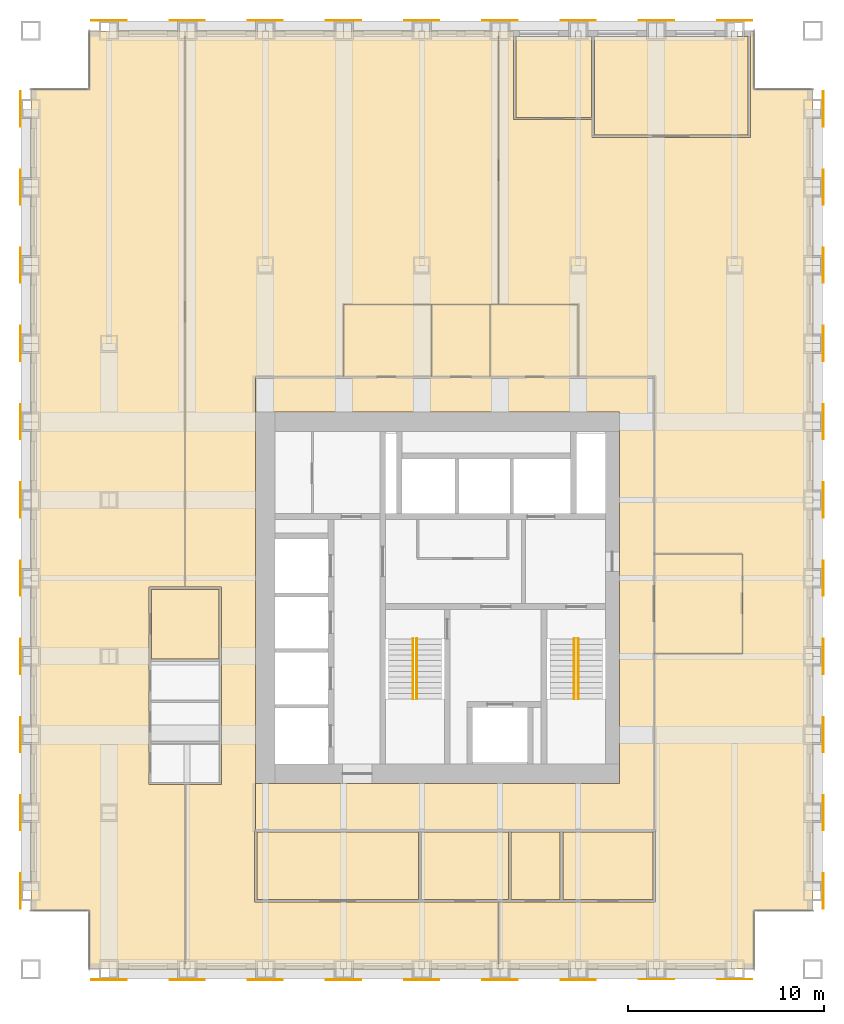
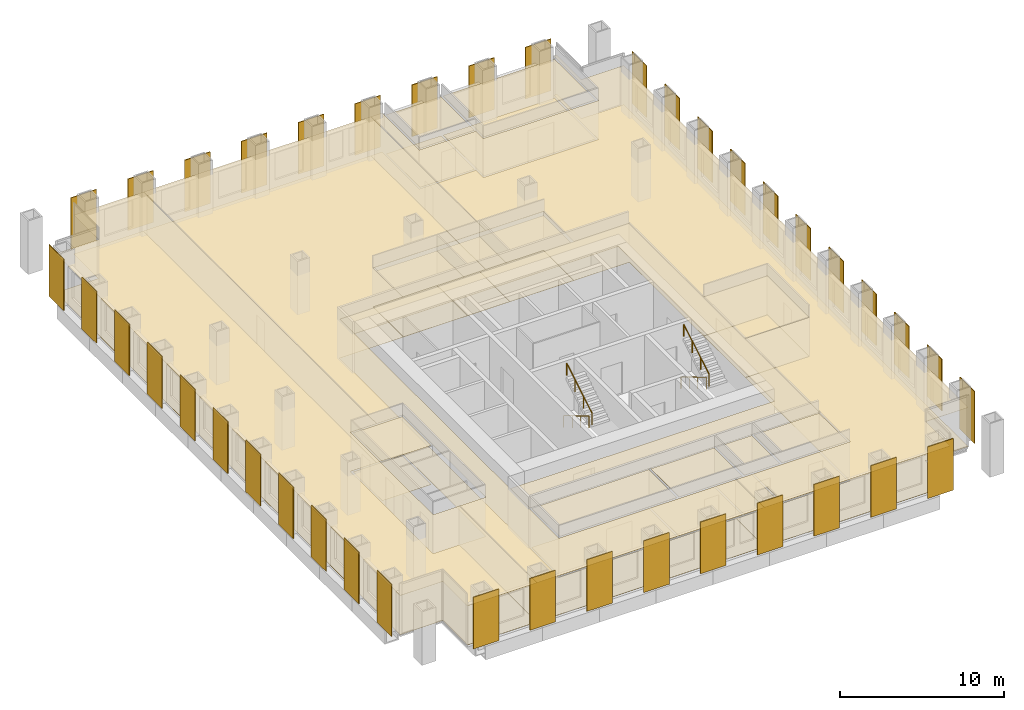
# One storey, part 13 of 13: 40 shading devices, 29 coverings, 4 railings.
"""IFC4 building model written with IfcOpenShell, lengths in metres."""

import ifcopenshell
import ifcopenshell.guid

model = None  # the IFC model being written
_history = None  # IfcOwnerHistory: only IFC2X3 demands one
_inside = {}  # id of a spatial element -> (the spatial element, [elements in it])
_under = {}  # id of a project, library or spatial element -> (it, [spatial elements below it])
_declared = {}  # id of a project -> (the project, [libraries it declares])
_typed = {}  # id of a type object -> (the type object, [elements of that type])
_made_of = {}  # id of a material, layer set ... -> (it, [elements and type objects made of it])


def new_model(schema):
    """Start an empty IFC model of exactly this schema.

    Asked for "IFC4X3", IfcOpenShell would pick the latest addendum, in which some entities
    have other attributes; the version numbers below select the first issue.
    IFC2X3 requires an IfcOwnerHistory on every rooted entity: one is made here for all.
    """
    global model, _history
    if schema == "IFC4X3":
        model = ifcopenshell.file(schema_version=(4, 3, 0, 0))
    else:
        model = ifcopenshell.file(schema=schema)
    _inside.clear()
    _under.clear()
    _declared.clear()
    _typed.clear()
    _made_of.clear()
    _history = None
    if model.schema == "IFC2X3":
        org = make("IfcOrganization", Name="unknown")
        user = make(
            "IfcPersonAndOrganization",
            ThePerson=make("IfcPerson", FamilyName="unknown"),
            TheOrganization=org,
        )
        app = make(
            "IfcApplication",
            ApplicationDeveloper=org,
            Version="unknown",
            ApplicationFullName="unknown",
            ApplicationIdentifier="unknown",
        )
        _history = make(
            "IfcOwnerHistory",
            OwningUser=user,
            OwningApplication=app,
            ChangeAction="ADDED",
            CreationDate=0,
        )
    return model


def make(cls, **values):
    """One entity of the class cls with the attributes given. An attribute that is None is left unset."""
    return model.create_entity(
        cls, **{name: value for name, value in values.items() if value is not None}
    )


def rooted(cls, **values):
    """An entity with a GlobalId (a new one), such as an element, a storey or a relation."""
    return make(cls, GlobalId=ifcopenshell.guid.new(), OwnerHistory=_history, **values)


def si_unit(unit_type, name, prefix=None):
    """IfcSIUnit, for example si_unit("LENGTHUNIT", "METRE", prefix="MILLI")."""
    return make("IfcSIUnit", UnitType=unit_type, Prefix=prefix, Name=name)


def assignment(units):
    """IfcUnitAssignment: the units of a project."""
    return None if units is None else make("IfcUnitAssignment", Units=units)


def point(xyz):
    """IfcCartesianPoint."""
    return None if xyz is None else make("IfcCartesianPoint", Coordinates=xyz)


def direction(xyz):
    """IfcDirection."""
    return None if xyz is None else make("IfcDirection", DirectionRatios=xyz)


def frame(location, z_axis=None, x_axis=None):
    """IfcAxis2Placement3D, a coordinate frame: its origin and axes. An axis left out is left unset."""
    return make(
        "IfcAxis2Placement3D",
        Location=point(location),
        Axis=direction(z_axis),
        RefDirection=direction(x_axis),
    )


def frame_2d(location, x_axis=None):
    """IfcAxis2Placement2D, a coordinate frame in the plane: its origin and x axis."""
    return make(
        "IfcAxis2Placement2D", Location=point(location), RefDirection=direction(x_axis)
    )


def origin():
    """The frame at (0, 0, 0) with its axes left unset."""
    return frame((0.0, 0.0, 0.0))


def origin_2d():
    """The frame at (0, 0) in the plane with its x axis left unset."""
    return frame_2d((0.0, 0.0))


def place(relative_to, where):
    """IfcLocalPlacement: puts the frame where relative to a parent placement (None: the world)."""
    return make(
        "IfcLocalPlacement", PlacementRelTo=relative_to, RelativePlacement=where
    )


def context(
    kind, dimensions, precision=None, world=None, true_north=None, identifier=None
):
    """IfcGeometricRepresentationContext, for example the 3D "Model" context."""
    return make(
        "IfcGeometricRepresentationContext",
        ContextIdentifier=identifier,
        ContextType=kind,
        CoordinateSpaceDimension=dimensions,
        Precision=precision,
        WorldCoordinateSystem=world,
        TrueNorth=true_north,
    )


def subcontext(parent, identifier, kind, view, scale=None):
    """IfcGeometricRepresentationSubContext, for example "Body" below "Model"."""
    return make(
        "IfcGeometricRepresentationSubContext",
        ContextIdentifier=identifier,
        ContextType=kind,
        ParentContext=parent,
        TargetScale=scale,
        TargetView=view,
    )


def project(units=None, contexts=None):
    """IfcProject with its units and contexts."""
    return rooted(
        "IfcProject",
        Name="project",
        RepresentationContexts=contexts,
        UnitsInContext=assignment(units),
    )


def spatial(cls, under=None, at=None, **own):
    """A site, building, storey or space (cls), placed at a placement, below another one or the project."""
    s = rooted(cls, ObjectPlacement=at, **own)
    if under is not None:
        _under.setdefault(under.id(), (under, []))[1].append(s)
    return s


def polyline(points):
    """IfcPolyline through the points."""
    return make("IfcPolyline", Points=[point(p) for p in points])


def profile(cls, at=None, kind="AREA", **sizes):
    """A parametric profile (cls). Its sizes go by their IFC names, for example OverallWidth=200.0."""
    return make(cls, ProfileType=kind, Position=at, **sizes)


def rectangle(**sizes):
    """IfcRectangleProfileDef."""
    return profile("IfcRectangleProfileDef", **sizes)


def circle(**sizes):
    """IfcCircleProfileDef."""
    return profile("IfcCircleProfileDef", **sizes)


def outline(outer, holes=None, kind="AREA"):
    """IfcArbitraryClosedProfileDef: a profile drawn as a closed curve; with holes, ...WithVoids."""
    if holes is None:
        return make("IfcArbitraryClosedProfileDef", ProfileType=kind, OuterCurve=outer)
    return make(
        "IfcArbitraryProfileDefWithVoids",
        ProfileType=kind,
        OuterCurve=outer,
        InnerCurves=holes,
    )


def extrude(swept, where, along, depth):
    """IfcExtrudedAreaSolid: the profile swept, set in the frame where, extruded along a direction by depth."""
    return make(
        "IfcExtrudedAreaSolid",
        SweptArea=swept,
        Position=where,
        ExtrudedDirection=direction(along),
        Depth=depth,
    )


def shape(context_of_items, identifier, shape_type, items):
    """IfcShapeRepresentation: the items that make up one representation, for example the "Body"."""
    return make(
        "IfcShapeRepresentation",
        ContextOfItems=context_of_items,
        RepresentationIdentifier=identifier,
        RepresentationType=shape_type,
        Items=items,
    )


def material(Name=None, Category=None):
    """IfcMaterial."""
    return make("IfcMaterial", Name=Name, Category=Category)


def layer(
    of_material, thickness, ventilated=None, Name=None, Category=None, Priority=None
):
    """IfcMaterialLayer: one layer of a wall or slab, of a material (None: an air gap)."""
    return make(
        "IfcMaterialLayer",
        Material=of_material,
        LayerThickness=thickness,
        IsVentilated=ventilated,
        Name=Name,
        Category=Category,
        Priority=Priority,
    )


def layer_set(layers, Name=None):
    """IfcMaterialLayerSet."""
    return make("IfcMaterialLayerSet", MaterialLayers=layers, LayerSetName=Name)


def made_of(thing, what):
    """Note that an element or type object is made of a material, layer set ...; save() writes the relation."""
    if what is not None:
        _made_of.setdefault(what.id(), (what, []))[1].append(thing)
    return thing


def type_object(cls, material=None, **own):
    """A type object (cls), such as IfcWallType, which elements share."""
    return made_of(rooted(cls, **own), material)


def element(
    cls,
    number,
    at=None,
    inside=None,
    cuts=None,
    type_object=None,
    material=None,
    context=None,
    identifier="Body",
    shape_type=None,
    held_by="IfcProductDefinitionShape",
    body=None,
    shapes=None,
    **own,
):
    """One element of the class cls, such as IfcWall. Its Tag is "e" and its number.

    at: its placement. inside: the storey or other place that contains it. cuts: it is an
    opening in that element (IfcRelVoidsElement). A single representation is given by context,
    identifier, shape_type and body (its items); several are given by shapes. held_by: the class
    of the entity that holds the representations. save() writes the other relations.
    """
    e = rooted(cls, Tag="e%d" % number, ObjectPlacement=at, **own)
    if body is not None:
        shapes = [shape(context, identifier, shape_type, body)]
    if shapes is not None:
        e.Representation = make(held_by, Representations=shapes)
    if inside is not None:
        _inside.setdefault(inside.id(), (inside, []))[1].append(e)
    if cuts is not None:
        rooted(
            "IfcRelVoidsElement", RelatingBuildingElement=cuts, RelatedOpeningElement=e
        )
    if type_object is not None:
        _typed.setdefault(type_object.id(), (type_object, []))[1].append(e)
    return made_of(e, material)


def aggregate(whole, parts):
    """IfcRelAggregates: a whole, such as a stair, and the parts it consists of."""
    return rooted("IfcRelAggregates", RelatingObject=whole, RelatedObjects=parts)


def save(model, path):
    """Write the relations noted so far, then the file.

    IfcRelAggregates (storeys below a building ...), IfcRelContainedInSpatialStructure (elements
    in a storey), IfcRelDefinesByType, IfcRelAssociatesMaterial and IfcRelDeclares: one each for
    every whole, place, type object, material and project.
    """
    for whole, parts in _under.values():
        aggregate(whole, parts)
    for where, things in _inside.values():
        rooted(
            "IfcRelContainedInSpatialStructure",
            RelatedElements=things,
            RelatingStructure=where,
        )
    for kind, things in _typed.values():
        rooted("IfcRelDefinesByType", RelatedObjects=things, RelatingType=kind)
    for what, things in _made_of.values():
        rooted("IfcRelAssociatesMaterial", RelatedObjects=things, RelatingMaterial=what)
    for by, libraries in _declared.values():
        rooted("IfcRelDeclares", RelatingContext=by, RelatedDefinitions=libraries)
    model.write(path)


model = new_model("IFC4")

# Units and contexts
model_context = context("Model", 3, precision=1e-05, world=origin(), true_north=direction((0.0, 1.0)))
body_context = subcontext(model_context, "Body", "Model", "MODEL_VIEW")
ifc_project = project(units=[si_unit("LENGTHUNIT", "METRE"), si_unit("AREAUNIT", "SQUARE_METRE"), si_unit("VOLUMEUNIT", "CUBIC_METRE"), si_unit("PLANEANGLEUNIT", "RADIAN"), si_unit("MASSUNIT", "GRAM", prefix="KILO")], contexts=[model_context])

# Site, building, storey
site_placement = place(None, origin())
site = spatial("IfcSite", under=ifc_project, at=site_placement, CompositionType="ELEMENT")
building_placement = place(site_placement, origin())
building = spatial("IfcBuilding", under=site, at=building_placement, Name="Rimbunsela Tower", CompositionType="ELEMENT")
storey_placement = place(building_placement, frame((0.0, 0.0, 195.800048828125)))
storey = spatial("IfcBuildingStorey", under=building, at=storey_placement, Name="L47", CompositionType="ELEMENT", Elevation=195.800048828125)

# Coverings
ifc_material_1 = material(Name="Nylon carpet tile", Category="textile")
ifc_layer_1 = layer(ifc_material_1, 0.010009765625)
ifc_layer_set_1 = layer_set([ifc_layer_1], Name="Carpet tile 10")
covering_type_1 = type_object("IfcCoveringType", Name="Carpet tile 10", PredefinedType="FLOORING", material=ifc_layer_set_1)
covering_1_placement = place(storey_placement, origin())
element("IfcCovering", 1, at=covering_1_placement, inside=storey, type_object=covering_type_1, Name="Floor finish Open office", PredefinedType="FLOORING", context=body_context, shape_type="SweptSolid", body=[
    extrude(outline(polyline([(29.925048828125, 56.0), (30.699951171875, 56.0), (30.699951171875, 51.449951171875), (34.699951171875, 51.449951171875), (34.699951171875, 50.550048828125), (37.89990234375, 50.550048828125), (42.800048828125, 50.550048828125), (42.800048828125, 56.0), (43.0, 56.0), (43.0, 53.0), (46.0, 53.0), (46.0, 11.0), (43.0, 11.0), (43.0, 8.0), (37.89990234375, 8.0), (29.925048828125, 8.0), (29.925048828125, 11.449951171875), (30.449951171875, 11.449951171875), (30.550048828125, 11.449951171875), (33.10009765625, 11.449951171875), (33.199951171875, 11.449951171875), (37.89990234375, 11.449951171875), (37.949951171875, 11.449951171875), (37.949951171875, 15.14990234375), (37.89990234375, 15.14990234375), (37.89990234375, 24.14990234375), (42.39990234375, 24.14990234375), (42.39990234375, 29.25), (37.89990234375, 29.25), (37.89990234375, 38.300048828125), (34.0, 38.300048828125), (34.0, 42.0), (29.925048828125, 42.0), (29.925048828125, 56.0)])), origin(), (0.0, 0.0, 1.0), 0.010009765625),
])
covering_2_placement = place(storey_placement, origin())
element("IfcCovering", 2, at=covering_2_placement, inside=storey, type_object=covering_type_1, Name="Floor finish Open office", PredefinedType="FLOORING", context=body_context, shape_type="SweptSolid", body=[
    extrude(outline(polyline([(13.89990234375, 8.0), (9.0, 8.0), (9.0, 11.0), (6.0, 11.0), (6.0, 53.0), (9.0, 53.0), (9.0, 56.0), (13.89990234375, 56.0), (13.89990234375, 27.550048828125), (12.050048828125, 27.550048828125), (12.050048828125, 23.85009765625), (12.050048828125, 23.75), (12.050048828125, 21.75), (12.050048828125, 21.64990234375), (12.050048828125, 19.64990234375), (12.050048828125, 19.550048828125), (12.050048828125, 17.449951171875), (13.89990234375, 17.449951171875), (13.89990234375, 8.0)])), origin(), (0.0, 0.0, 1.0), 0.010009765625),
])
covering_3_placement = place(storey_placement, origin())
element("IfcCovering", 3, at=covering_3_placement, inside=storey, type_object=covering_type_1, Name="Floor finish Open office", PredefinedType="FLOORING", context=body_context, shape_type="SweptSolid", body=[
    extrude(outline(polyline([(17.5, 8.0), (13.89990234375, 8.0), (13.89990234375, 17.449951171875), (15.75, 17.449951171875), (15.75, 19.550048828125), (15.75, 19.64990234375), (15.75, 21.64990234375), (15.75, 21.75), (15.75, 23.75), (15.75, 23.85009765625), (15.75, 27.550048828125), (13.89990234375, 27.550048828125), (13.89990234375, 56.0), (17.5, 56.0), (29.925048828125, 56.0), (29.925048828125, 42.0), (22.0, 42.0), (22.0, 38.300048828125), (17.5, 38.300048828125), (17.5, 36.5), (17.5, 17.5), (17.5, 15.14990234375), (17.449951171875, 15.14990234375), (17.449951171875, 11.449951171875), (17.5, 11.449951171875), (25.85009765625, 11.449951171875), (25.949951171875, 11.449951171875), (29.925048828125, 11.449951171875), (29.925048828125, 8.0), (17.5, 8.0)])), origin(), (0.0, 0.0, 1.0), 0.010009765625),
])
covering_4_placement = place(storey_placement, origin())
element("IfcCovering", 4, at=covering_4_placement, inside=storey, type_object=covering_type_1, Name="Floor finish Reception", PredefinedType="FLOORING", context=body_context, shape_type="SweptSolid", body=[
    extrude(outline(polyline([(42.39990234375, 24.14990234375), (42.39990234375, 29.25), (37.89990234375, 29.25), (37.89990234375, 24.14990234375), (42.39990234375, 24.14990234375)])), origin(), (0.0, 0.0, 1.0), 0.010009765625),
])
covering_5_placement = place(storey_placement, origin())
element("IfcCovering", 5, at=covering_5_placement, inside=storey, type_object=covering_type_1, Name="Floor finish Executive office", PredefinedType="FLOORING", context=body_context, shape_type="SweptSolid", body=[
    extrude(outline(polyline([(34.675048828125, 51.574951171875), (34.675048828125, 55.699951171875), (30.824951171875, 55.699951171875), (30.824951171875, 51.574951171875), (34.675048828125, 51.574951171875)])), origin(), (0.0, 0.0, 1.0), 0.010009765625),
])
covering_6_placement = place(storey_placement, origin())
element("IfcCovering", 6, at=covering_6_placement, inside=storey, type_object=covering_type_1, Name="Floor finish Boardroom", PredefinedType="FLOORING", context=body_context, shape_type="SweptSolid", body=[
    extrude(outline(polyline([(42.675048828125, 50.675048828125), (42.675048828125, 55.699951171875), (34.824951171875, 55.699951171875), (34.824951171875, 50.675048828125), (42.675048828125, 50.675048828125)])), origin(), (0.0, 0.0, 1.0), 0.010009765625),
])
covering_7_placement = place(storey_placement, origin())
element("IfcCovering", 7, at=covering_7_placement, inside=storey, type_object=covering_type_1, Name="Floor finish Training room", PredefinedType="FLOORING", context=body_context, shape_type="SweptSolid", body=[
    extrude(outline(polyline([(25.824951171875, 11.574951171875), (25.824951171875, 15.02490234375), (17.574951171875, 15.02490234375), (17.574951171875, 11.574951171875), (25.824951171875, 11.574951171875)])), origin(), (0.0, 0.0, 1.0), 0.010009765625),
])
covering_8_placement = place(storey_placement, origin())
element("IfcCovering", 8, at=covering_8_placement, inside=storey, type_object=covering_type_1, Name="Floor finish Pantry", PredefinedType="FLOORING", context=body_context, shape_type="SweptSolid", body=[
    extrude(outline(polyline([(30.425048828125, 11.574951171875), (30.425048828125, 15.02490234375), (25.97509765625, 15.02490234375), (25.97509765625, 11.574951171875), (30.425048828125, 11.574951171875)])), origin(), (0.0, 0.0, 1.0), 0.010009765625),
])
covering_9_placement = place(storey_placement, origin())
element("IfcCovering", 9, at=covering_9_placement, inside=storey, type_object=covering_type_1, Name="Floor finish Print and copy room", PredefinedType="FLOORING", context=body_context, shape_type="SweptSolid", body=[
    extrude(outline(polyline([(33.074951171875, 11.574951171875), (33.074951171875, 15.02490234375), (30.574951171875, 15.02490234375), (30.574951171875, 11.574951171875), (33.074951171875, 11.574951171875)])), origin(), (0.0, 0.0, 1.0), 0.010009765625),
])
covering_10_placement = place(storey_placement, origin())
element("IfcCovering", 10, at=covering_10_placement, inside=storey, type_object=covering_type_1, Name="Floor finish Office", PredefinedType="FLOORING", context=body_context, shape_type="SweptSolid", body=[
    extrude(outline(polyline([(37.824951171875, 11.574951171875), (37.824951171875, 15.02490234375), (33.22509765625, 15.02490234375), (33.22509765625, 11.574951171875), (37.824951171875, 11.574951171875)])), origin(), (0.0, 0.0, 1.0), 0.010009765625),
])
covering_11_placement = place(storey_placement, origin())
element("IfcCovering", 11, at=covering_11_placement, inside=storey, type_object=covering_type_1, Name="Floor finish Meeting room", PredefinedType="FLOORING", context=body_context, shape_type="SweptSolid", body=[
    extrude(outline(polyline([(15.625, 23.875), (15.625, 27.425048828125), (12.175048828125, 27.425048828125), (12.175048828125, 23.875), (15.625, 23.875)])), origin(), (0.0, 0.0, 1.0), 0.010009765625),
])
ifc_material_2 = material(Name="Mineral fibre ceiling tile", Category="gypsum")
ifc_layer_2 = layer(ifc_material_2, 0.02001953125)
ifc_layer_set_2 = layer_set([ifc_layer_2], Name="Ceiling 600 grid")
covering_type_2 = type_object("IfcCoveringType", Name="Ceiling 600 grid", PredefinedType="CEILING", material=ifc_layer_set_2)
covering_12_placement = place(storey_placement, frame((0.0, 0.0, 2.89990234375)))
element("IfcCovering", 12, at=covering_12_placement, inside=storey, type_object=covering_type_2, Name="Ceiling U-shaped corridor", PredefinedType="CEILING", context=body_context, shape_type="SweptSolid", body=[
    extrude(outline(polyline([(37.89990234375, 38.300048828125), (37.89990234375, 15.10009765625), (17.5, 15.10009765625), (17.5, 17.5), (36.10009765625, 17.5), (36.10009765625, 36.5), (17.5, 36.5), (17.5, 38.300048828125), (37.89990234375, 38.300048828125)])), origin(), (0.0, 0.0, 1.0), 0.02001953125),
])
covering_13_placement = place(storey_placement, frame((0.0, 0.0, 2.89990234375)))
element("IfcCovering", 13, at=covering_13_placement, inside=storey, type_object=covering_type_2, Name="Ceiling Open office", PredefinedType="CEILING", context=body_context, shape_type="SweptSolid", body=[
    extrude(outline(polyline([(29.925048828125, 56.0), (30.699951171875, 56.0), (30.699951171875, 51.449951171875), (34.699951171875, 51.449951171875), (34.699951171875, 50.550048828125), (37.89990234375, 50.550048828125), (42.800048828125, 50.550048828125), (42.800048828125, 56.0), (43.0, 56.0), (43.0, 53.0), (46.0, 53.0), (46.0, 11.0), (43.0, 11.0), (43.0, 8.0), (37.89990234375, 8.0), (29.925048828125, 8.0), (29.925048828125, 11.449951171875), (30.449951171875, 11.449951171875), (30.550048828125, 11.449951171875), (33.10009765625, 11.449951171875), (33.199951171875, 11.449951171875), (37.89990234375, 11.449951171875), (37.949951171875, 11.449951171875), (37.949951171875, 15.14990234375), (37.89990234375, 15.14990234375), (37.89990234375, 24.14990234375), (42.39990234375, 24.14990234375), (42.39990234375, 29.25), (37.89990234375, 29.25), (37.89990234375, 38.300048828125), (34.0, 38.300048828125), (34.0, 42.0), (29.925048828125, 42.0), (29.925048828125, 56.0)])), origin(), (0.0, 0.0, 1.0), 0.02001953125),
])
covering_14_placement = place(storey_placement, frame((0.0, 0.0, 2.89990234375)))
element("IfcCovering", 14, at=covering_14_placement, inside=storey, type_object=covering_type_2, Name="Ceiling Open office", PredefinedType="CEILING", context=body_context, shape_type="SweptSolid", body=[
    extrude(outline(polyline([(13.89990234375, 8.0), (9.0, 8.0), (9.0, 11.0), (6.0, 11.0), (6.0, 53.0), (9.0, 53.0), (9.0, 56.0), (13.89990234375, 56.0), (13.89990234375, 27.550048828125), (12.050048828125, 27.550048828125), (12.050048828125, 23.85009765625), (12.050048828125, 23.75), (12.050048828125, 21.75), (12.050048828125, 21.64990234375), (12.050048828125, 19.64990234375), (12.050048828125, 19.550048828125), (12.050048828125, 17.449951171875), (13.89990234375, 17.449951171875), (13.89990234375, 8.0)])), origin(), (0.0, 0.0, 1.0), 0.02001953125),
])
covering_15_placement = place(storey_placement, frame((0.0, 0.0, 2.89990234375)))
element("IfcCovering", 15, at=covering_15_placement, inside=storey, type_object=covering_type_2, Name="Ceiling Open office", PredefinedType="CEILING", context=body_context, shape_type="SweptSolid", body=[
    extrude(outline(polyline([(17.5, 8.0), (13.89990234375, 8.0), (13.89990234375, 17.449951171875), (15.75, 17.449951171875), (15.75, 19.550048828125), (15.75, 19.64990234375), (15.75, 21.64990234375), (15.75, 21.75), (15.75, 23.75), (15.75, 23.85009765625), (15.75, 27.550048828125), (13.89990234375, 27.550048828125), (13.89990234375, 56.0), (17.5, 56.0), (29.925048828125, 56.0), (29.925048828125, 42.0), (22.0, 42.0), (22.0, 38.300048828125), (17.5, 38.300048828125), (17.5, 36.5), (17.5, 17.5), (17.5, 15.14990234375), (17.449951171875, 15.14990234375), (17.449951171875, 11.449951171875), (17.5, 11.449951171875), (25.85009765625, 11.449951171875), (25.949951171875, 11.449951171875), (29.925048828125, 11.449951171875), (29.925048828125, 8.0), (17.5, 8.0)])), origin(), (0.0, 0.0, 1.0), 0.02001953125),
])
covering_16_placement = place(storey_placement, frame((0.0, 0.0, 2.89990234375)))
element("IfcCovering", 16, at=covering_16_placement, inside=storey, type_object=covering_type_2, Name="Ceiling Reception", PredefinedType="CEILING", context=body_context, shape_type="SweptSolid", body=[
    extrude(outline(polyline([(42.39990234375, 24.14990234375), (42.39990234375, 29.25), (37.89990234375, 29.25), (37.89990234375, 24.14990234375), (42.39990234375, 24.14990234375)])), origin(), (0.0, 0.0, 1.0), 0.02001953125),
])
covering_17_placement = place(storey_placement, frame((0.0, 0.0, 2.89990234375)))
element("IfcCovering", 17, at=covering_17_placement, inside=storey, type_object=covering_type_2, Name="Ceiling Executive office", PredefinedType="CEILING", context=body_context, shape_type="SweptSolid", body=[
    extrude(outline(polyline([(34.675048828125, 51.574951171875), (34.675048828125, 55.699951171875), (30.824951171875, 55.699951171875), (30.824951171875, 51.574951171875), (34.675048828125, 51.574951171875)])), origin(), (0.0, 0.0, 1.0), 0.02001953125),
])
covering_18_placement = place(storey_placement, frame((0.0, 0.0, 2.89990234375)))
element("IfcCovering", 18, at=covering_18_placement, inside=storey, type_object=covering_type_2, Name="Ceiling Boardroom", PredefinedType="CEILING", context=body_context, shape_type="SweptSolid", body=[
    extrude(outline(polyline([(42.675048828125, 50.675048828125), (42.675048828125, 55.699951171875), (34.824951171875, 55.699951171875), (34.824951171875, 50.675048828125), (42.675048828125, 50.675048828125)])), origin(), (0.0, 0.0, 1.0), 0.02001953125),
])
covering_19_placement = place(storey_placement, frame((0.0, 0.0, 2.89990234375)))
element("IfcCovering", 19, at=covering_19_placement, inside=storey, type_object=covering_type_2, Name="Ceiling Training room", PredefinedType="CEILING", context=body_context, shape_type="SweptSolid", body=[
    extrude(outline(polyline([(25.824951171875, 11.574951171875), (25.824951171875, 15.02490234375), (17.574951171875, 15.02490234375), (17.574951171875, 11.574951171875), (25.824951171875, 11.574951171875)])), origin(), (0.0, 0.0, 1.0), 0.02001953125),
])
covering_20_placement = place(storey_placement, frame((0.0, 0.0, 2.89990234375)))
element("IfcCovering", 20, at=covering_20_placement, inside=storey, type_object=covering_type_2, Name="Ceiling Pantry", PredefinedType="CEILING", context=body_context, shape_type="SweptSolid", body=[
    extrude(outline(polyline([(30.425048828125, 11.574951171875), (30.425048828125, 15.02490234375), (25.97509765625, 15.02490234375), (25.97509765625, 11.574951171875), (30.425048828125, 11.574951171875)])), origin(), (0.0, 0.0, 1.0), 0.02001953125),
])
covering_21_placement = place(storey_placement, frame((0.0, 0.0, 2.89990234375)))
element("IfcCovering", 21, at=covering_21_placement, inside=storey, type_object=covering_type_2, Name="Ceiling Print and copy room", PredefinedType="CEILING", context=body_context, shape_type="SweptSolid", body=[
    extrude(outline(polyline([(33.074951171875, 11.574951171875), (33.074951171875, 15.02490234375), (30.574951171875, 15.02490234375), (30.574951171875, 11.574951171875), (33.074951171875, 11.574951171875)])), origin(), (0.0, 0.0, 1.0), 0.02001953125),
])
covering_22_placement = place(storey_placement, frame((0.0, 0.0, 2.89990234375)))
element("IfcCovering", 22, at=covering_22_placement, inside=storey, type_object=covering_type_2, Name="Ceiling Office", PredefinedType="CEILING", context=body_context, shape_type="SweptSolid", body=[
    extrude(outline(polyline([(37.824951171875, 11.574951171875), (37.824951171875, 15.02490234375), (33.22509765625, 15.02490234375), (33.22509765625, 11.574951171875), (37.824951171875, 11.574951171875)])), origin(), (0.0, 0.0, 1.0), 0.02001953125),
])
covering_23_placement = place(storey_placement, frame((0.0, 0.0, 2.89990234375)))
element("IfcCovering", 23, at=covering_23_placement, inside=storey, type_object=covering_type_2, Name="Ceiling Meeting room", PredefinedType="CEILING", context=body_context, shape_type="SweptSolid", body=[
    extrude(outline(polyline([(15.625, 23.875), (15.625, 27.425048828125), (12.175048828125, 27.425048828125), (12.175048828125, 23.875), (15.625, 23.875)])), origin(), (0.0, 0.0, 1.0), 0.02001953125),
])
ifc_material_3 = material(Name="Moisture-resistant plasterboard ceiling", Category="gypsum")
ifc_layer_3 = layer(ifc_material_3, 0.012451171875)
ifc_layer_set_3 = layer_set([ifc_layer_3], Name="Ceiling moisture-resistant board")
covering_type_3 = type_object("IfcCoveringType", Name="Ceiling moisture-resistant board", PredefinedType="CEILING", material=ifc_layer_set_3)
covering_24_placement = place(storey_placement, frame((0.0, 0.0, 2.599853515625)))
element("IfcCovering", 24, at=covering_24_placement, inside=storey, type_object=covering_type_3, Name="Ceiling Female WC", PredefinedType="CEILING", context=body_context, shape_type="SweptSolid", body=[
    extrude(outline(polyline([(26.5, 38.300048828125), (26.5, 42.0), (22.0, 42.0), (22.0, 38.300048828125), (26.5, 38.300048828125)])), origin(), (0.0, 0.0, 1.0), 0.02001953125),
])
covering_25_placement = place(storey_placement, frame((0.0, 0.0, 2.599853515625)))
element("IfcCovering", 25, at=covering_25_placement, inside=storey, type_object=covering_type_3, Name="Ceiling Accessible WC", PredefinedType="CEILING", context=body_context, shape_type="SweptSolid", body=[
    extrude(outline(polyline([(29.5, 38.300048828125), (29.5, 42.0), (26.5, 42.0), (26.5, 38.300048828125), (29.5, 38.300048828125)])), origin(), (0.0, 0.0, 1.0), 0.02001953125),
])
covering_26_placement = place(storey_placement, frame((0.0, 0.0, 2.599853515625)))
element("IfcCovering", 26, at=covering_26_placement, inside=storey, type_object=covering_type_3, Name="Ceiling Male WC", PredefinedType="CEILING", context=body_context, shape_type="SweptSolid", body=[
    extrude(outline(polyline([(34.0, 38.300048828125), (34.0, 42.0), (29.5, 42.0), (29.5, 38.300048828125), (34.0, 38.300048828125)])), origin(), (0.0, 0.0, 1.0), 0.02001953125),
])
ifc_material_4 = material(Name="Porcelain floor tile in adhesive bed", Category="ceramic")
ifc_layer_4 = layer(ifc_material_4, 0.02001953125)
ifc_layer_set_4 = layer_set([ifc_layer_4], Name="Porcelain tile 20")
covering_type_4 = type_object("IfcCoveringType", Name="Porcelain tile 20", PredefinedType="FLOORING", material=ifc_layer_set_4)
covering_27_placement = place(storey_placement, origin())
element("IfcCovering", 27, at=covering_27_placement, inside=storey, type_object=covering_type_4, Name="Floor finish Female WC", PredefinedType="FLOORING", context=body_context, shape_type="SweptSolid", body=[
    extrude(outline(polyline([(26.5, 38.300048828125), (26.5, 42.0), (22.0, 42.0), (22.0, 38.300048828125), (26.5, 38.300048828125)])), origin(), (0.0, 0.0, 1.0), 0.02001953125),
])
covering_28_placement = place(storey_placement, origin())
element("IfcCovering", 28, at=covering_28_placement, inside=storey, type_object=covering_type_4, Name="Floor finish Accessible WC", PredefinedType="FLOORING", context=body_context, shape_type="SweptSolid", body=[
    extrude(outline(polyline([(29.5, 38.300048828125), (29.5, 42.0), (26.5, 42.0), (26.5, 38.300048828125), (29.5, 38.300048828125)])), origin(), (0.0, 0.0, 1.0), 0.02001953125),
])
covering_29_placement = place(storey_placement, origin())
element("IfcCovering", 29, at=covering_29_placement, inside=storey, type_object=covering_type_4, Name="Floor finish Male WC", PredefinedType="FLOORING", context=body_context, shape_type="SweptSolid", body=[
    extrude(outline(polyline([(34.0, 38.300048828125), (34.0, 42.0), (29.5, 42.0), (29.5, 38.300048828125), (34.0, 38.300048828125)])), origin(), (0.0, 0.0, 1.0), 0.02001953125),
])

# Shading devices
ifc_material_5 = material(Name="Perforated aluminium, 35 % open area", Category="aluminium")
ifc_layer_5 = layer(ifc_material_5, 0.050048828125)
ifc_layer_set_5 = layer_set([ifc_layer_5], Name="Solar screen panel 1800")
shading_device_type = type_object("IfcShadingDeviceType", Name="Solar screen panel 1800", PredefinedType="USERDEFINED", material=ifc_layer_set_5)
for number, where, z_axis, x_axis, name in (
    (30, (10.0, 7.47509765625, 0.0), (0.0, 0.0, 1.0), (1.0, 0.0, 0.0), "Solar screen S L47"),
    (31, (14.0, 7.47509765625, 0.0), (0.0, 0.0, 1.0), (1.0, 0.0, 0.0), "Solar screen S L47"),
    (32, (18.0, 7.47509765625, 0.0), (0.0, 0.0, 1.0), (1.0, 0.0, 0.0), "Solar screen S L47"),
    (33, (22.0, 7.47509765625, 0.0), (0.0, 0.0, 1.0), (1.0, 0.0, 0.0), "Solar screen S L47"),
    (34, (26.0, 7.47509765625, 0.0), (0.0, 0.0, 1.0), (1.0, 0.0, 0.0), "Solar screen S L47"),
    (35, (30.0, 7.47509765625, 0.0), (0.0, 0.0, 1.0), (1.0, 0.0, 0.0), "Solar screen S L47"),
    (36, (34.0, 7.47509765625, 0.0), (0.0, 0.0, 1.0), (1.0, 0.0, 0.0), "Solar screen S L47"),
    (37, (38.0, 7.47509765625, 0.0), (0.0, 0.0, 1.0), (1.0, 0.0, 0.0), "Solar screen S L47"),
    (38, (42.0, 7.47509765625, 0.0), (0.0, 0.0, 1.0), (1.0, 0.0, 0.0), "Solar screen S L47"),
    (39, (46.52490234375, 12.0, 0.0), (0.0, 0.0, 1.0), (0.0, 1.0, 0.0), "Solar screen E L47"),
    (40, (46.52490234375, 16.0, 0.0), (0.0, 0.0, 1.0), (0.0, 1.0, 0.0), "Solar screen E L47"),
    (41, (46.52490234375, 20.0, 0.0), (0.0, 0.0, 1.0), (0.0, 1.0, 0.0), "Solar screen E L47"),
    (42, (46.52490234375, 24.0, 0.0), (0.0, 0.0, 1.0), (0.0, 1.0, 0.0), "Solar screen E L47"),
    (43, (46.52490234375, 28.0, 0.0), (0.0, 0.0, 1.0), (0.0, 1.0, 0.0), "Solar screen E L47"),
    (44, (46.52490234375, 32.0, 0.0), (0.0, 0.0, 1.0), (0.0, 1.0, 0.0), "Solar screen E L47"),
    (45, (46.52490234375, 36.0, 0.0), (0.0, 0.0, 1.0), (0.0, 1.0, 0.0), "Solar screen E L47"),
    (46, (46.52490234375, 40.0, 0.0), (0.0, 0.0, 1.0), (0.0, 1.0, 0.0), "Solar screen E L47"),
    (47, (46.52490234375, 44.0, 0.0), (0.0, 0.0, 1.0), (0.0, 1.0, 0.0), "Solar screen E L47"),
    (48, (46.52490234375, 48.0, 0.0), (0.0, 0.0, 1.0), (0.0, 1.0, 0.0), "Solar screen E L47"),
    (49, (46.52490234375, 52.0, 0.0), (0.0, 0.0, 1.0), (0.0, 1.0, 0.0), "Solar screen E L47"),
    (50, (10.0, 56.52490234375, 0.0), (0.0, 0.0, 1.0), (1.0, 0.0, 0.0), "Solar screen N L47"),
    (51, (14.0, 56.52490234375, 0.0), (0.0, 0.0, 1.0), (1.0, 0.0, 0.0), "Solar screen N L47"),
    (52, (18.0, 56.52490234375, 0.0), (0.0, 0.0, 1.0), (1.0, 0.0, 0.0), "Solar screen N L47"),
    (53, (22.0, 56.52490234375, 0.0), (0.0, 0.0, 1.0), (1.0, 0.0, 0.0), "Solar screen N L47"),
    (54, (26.0, 56.52490234375, 0.0), (0.0, 0.0, 1.0), (1.0, 0.0, 0.0), "Solar screen N L47"),
    (55, (30.0, 56.52490234375, 0.0), (0.0, 0.0, 1.0), (1.0, 0.0, 0.0), "Solar screen N L47"),
    (56, (34.0, 56.52490234375, 0.0), (0.0, 0.0, 1.0), (1.0, 0.0, 0.0), "Solar screen N L47"),
    (57, (38.0, 56.52490234375, 0.0), (0.0, 0.0, 1.0), (1.0, 0.0, 0.0), "Solar screen N L47"),
    (58, (42.0, 56.52490234375, 0.0), (0.0, 0.0, 1.0), (1.0, 0.0, 0.0), "Solar screen N L47"),
    (59, (5.47509765625, 12.0, 0.0), (0.0, 0.0, 1.0), (0.0, 1.0, 0.0), "Solar screen W L47"),
    (60, (5.47509765625, 16.0, 0.0), (0.0, 0.0, 1.0), (0.0, 1.0, 0.0), "Solar screen W L47"),
    (61, (5.47509765625, 20.0, 0.0), (0.0, 0.0, 1.0), (0.0, 1.0, 0.0), "Solar screen W L47"),
    (62, (5.47509765625, 24.0, 0.0), (0.0, 0.0, 1.0), (0.0, 1.0, 0.0), "Solar screen W L47"),
    (63, (5.47509765625, 28.0, 0.0), (0.0, 0.0, 1.0), (0.0, 1.0, 0.0), "Solar screen W L47"),
    (64, (5.47509765625, 32.0, 0.0), (0.0, 0.0, 1.0), (0.0, 1.0, 0.0), "Solar screen W L47"),
    (65, (5.47509765625, 36.0, 0.0), (0.0, 0.0, 1.0), (0.0, 1.0, 0.0), "Solar screen W L47"),
    (66, (5.47509765625, 40.0, 0.0), (0.0, 0.0, 1.0), (0.0, 1.0, 0.0), "Solar screen W L47"),
    (67, (5.47509765625, 44.0, 0.0), (0.0, 0.0, 1.0), (0.0, 1.0, 0.0), "Solar screen W L47"),
    (68, (5.47509765625, 48.0, 0.0), (0.0, 0.0, 1.0), (0.0, 1.0, 0.0), "Solar screen W L47"),
    (69, (5.47509765625, 52.0, 0.0), (0.0, 0.0, 1.0), (0.0, 1.0, 0.0), "Solar screen W L47"),
):
    element("IfcShadingDevice", number, at=place(storey_placement, frame(where, z_axis=z_axis, x_axis=x_axis)), inside=storey, type_object=shading_device_type, Name=name, ObjectType="SCREEN", PredefinedType="USERDEFINED", context=body_context, shape_type="SweptSolid", body=[
        extrude(rectangle(XDim=1.800048828125, YDim=0.050048828125, at=origin_2d()), origin(), (0.0, 0.0, 1.0), 3.85009765625),
    ])

# Railings
ifc_material_6 = material(Name="Stainless steel tube", Category="steel")
railing_type = type_object("IfcRailingType", Name="Stair handrail 900", PredefinedType="HANDRAIL", material=ifc_material_6)
railing_1_placement = place(storey_placement, frame((25.550048828125, 24.89990234375, 0.16650390625)))
element("IfcRailing", 70, at=railing_1_placement, inside=storey, type_object=railing_type, Name="Handrail ST-A flight 1", PredefinedType="HANDRAIL", context=body_context, shape_type="SweptSolid", body=[
    extrude(circle(Radius=0.02392578125, at=origin_2d()), frame((0.0, 0.0, 0.8759765625), z_axis=(0.0, -0.859260807169, 0.511537745687), x_axis=(1.0, 0.0, 0.0)), (0.0, 0.0, 1.0), 3.584228515625),
    extrude(circle(Radius=0.02099609375, at=origin_2d()), origin(), (0.0, 0.0, 1.0), 0.851806640625),
    extrude(circle(Radius=0.02099609375, at=origin_2d()), frame((0.0, -1.026611328125, 0.611083984375)), (0.0, 0.0, 1.0), 0.851806640625),
    extrude(circle(Radius=0.02099609375, at=origin_2d()), frame((0.0, -2.05322265625, 1.222412109375)), (0.0, 0.0, 1.0), 0.851806640625),
    extrude(circle(Radius=0.02099609375, at=origin_2d()), frame((0.0, -3.079833984375, 1.83349609375)), (0.0, 0.0, 1.0), 0.851806640625),
])
railing_2_placement = place(storey_placement, frame((25.75, 21.820068359375, 2.16650390625)))
element("IfcRailing", 71, at=railing_2_placement, inside=storey, type_object=railing_type, Name="Handrail ST-A flight 2", PredefinedType="HANDRAIL", context=body_context, shape_type="SweptSolid", body=[
    extrude(circle(Radius=0.02392578125, at=origin_2d()), frame((0.0, 0.0, 0.8759765625), z_axis=(0.0, 0.859260807169, 0.511537745687), x_axis=(-1.0, 0.0, 0.0)), (0.0, 0.0, 1.0), 3.584228515625),
    extrude(circle(Radius=0.02099609375, at=origin_2d()), origin(), (0.0, 0.0, 1.0), 0.851806640625),
    extrude(circle(Radius=0.02099609375, at=origin_2d()), frame((0.0, 1.026611328125, 0.611083984375)), (0.0, 0.0, 1.0), 0.851806640625),
    extrude(circle(Radius=0.02099609375, at=origin_2d()), frame((0.0, 2.05322265625, 1.222412109375)), (0.0, 0.0, 1.0), 0.851806640625),
    extrude(circle(Radius=0.02099609375, at=origin_2d()), frame((0.0, 3.079833984375, 1.83349609375)), (0.0, 0.0, 1.0), 0.851806640625),
])
railing_3_placement = place(storey_placement, frame((33.800048828125, 24.89990234375, 0.16650390625)))
element("IfcRailing", 72, at=railing_3_placement, inside=storey, type_object=railing_type, Name="Handrail ST-B flight 1", PredefinedType="HANDRAIL", context=body_context, shape_type="SweptSolid", body=[
    extrude(circle(Radius=0.02392578125, at=origin_2d()), frame((0.0, 0.0, 0.8759765625), z_axis=(0.0, -0.859260807169, 0.511537745687), x_axis=(1.0, 0.0, 0.0)), (0.0, 0.0, 1.0), 3.584228515625),
    extrude(circle(Radius=0.02099609375, at=origin_2d()), origin(), (0.0, 0.0, 1.0), 0.851806640625),
    extrude(circle(Radius=0.02099609375, at=origin_2d()), frame((0.0, -1.026611328125, 0.611083984375)), (0.0, 0.0, 1.0), 0.851806640625),
    extrude(circle(Radius=0.02099609375, at=origin_2d()), frame((0.0, -2.05322265625, 1.222412109375)), (0.0, 0.0, 1.0), 0.851806640625),
    extrude(circle(Radius=0.02099609375, at=origin_2d()), frame((0.0, -3.079833984375, 1.83349609375)), (0.0, 0.0, 1.0), 0.851806640625),
])
railing_4_placement = place(storey_placement, frame((34.0, 21.820068359375, 2.16650390625)))
element("IfcRailing", 73, at=railing_4_placement, inside=storey, type_object=railing_type, Name="Handrail ST-B flight 2", PredefinedType="HANDRAIL", context=body_context, shape_type="SweptSolid", body=[
    extrude(circle(Radius=0.02392578125, at=origin_2d()), frame((0.0, 0.0, 0.8759765625), z_axis=(0.0, 0.859260807169, 0.511537745687), x_axis=(-1.0, 0.0, 0.0)), (0.0, 0.0, 1.0), 3.584228515625),
    extrude(circle(Radius=0.02099609375, at=origin_2d()), origin(), (0.0, 0.0, 1.0), 0.851806640625),
    extrude(circle(Radius=0.02099609375, at=origin_2d()), frame((0.0, 1.026611328125, 0.611083984375)), (0.0, 0.0, 1.0), 0.851806640625),
    extrude(circle(Radius=0.02099609375, at=origin_2d()), frame((0.0, 2.05322265625, 1.222412109375)), (0.0, 0.0, 1.0), 0.851806640625),
    extrude(circle(Radius=0.02099609375, at=origin_2d()), frame((0.0, 3.079833984375, 1.83349609375)), (0.0, 0.0, 1.0), 0.851806640625),
])

save(model, "model.ifc")
